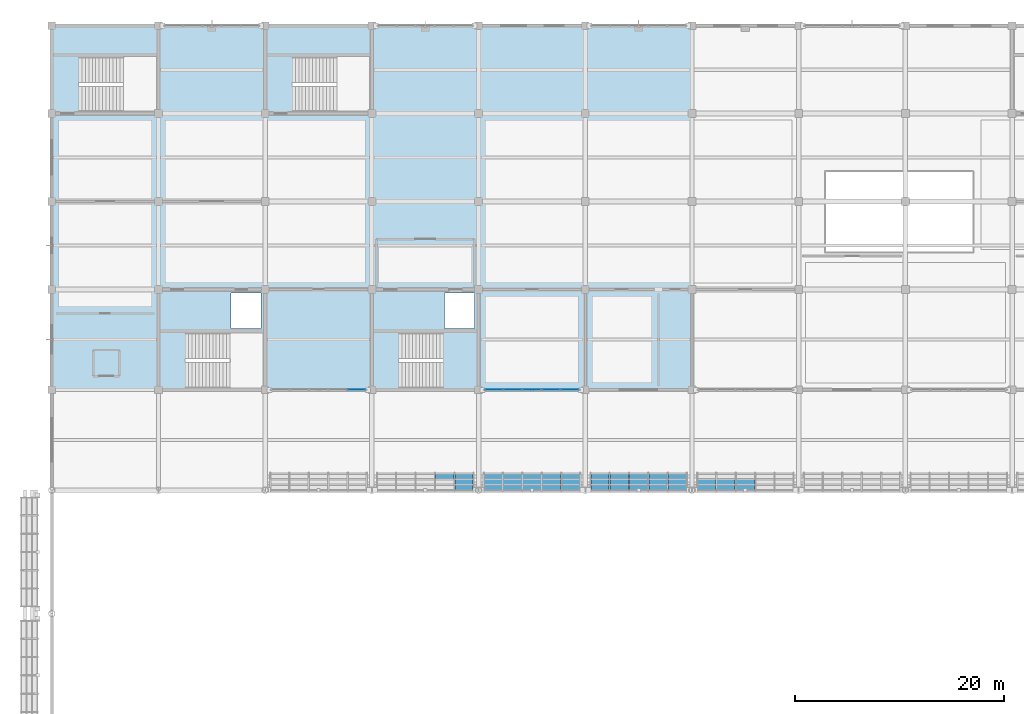
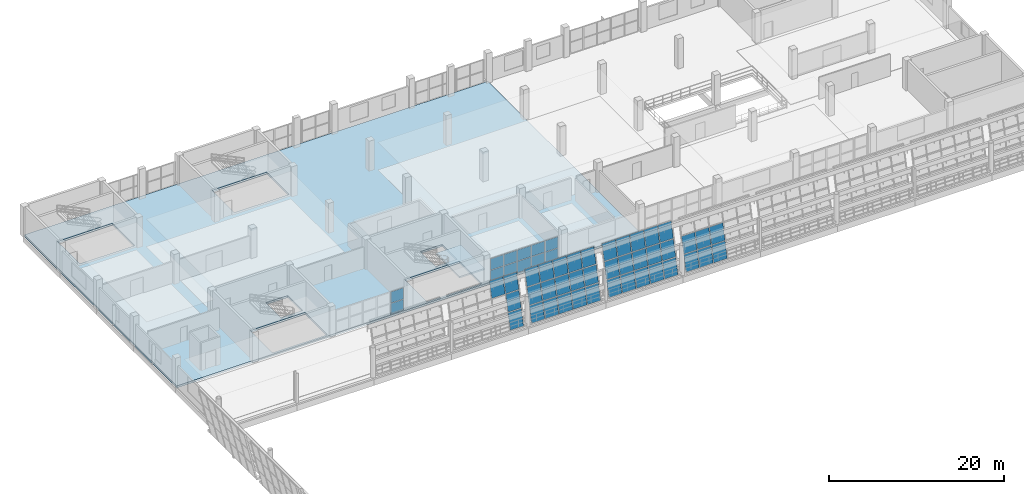
# One storey, part 107 of 157: 52 plates, 2 slabs, 7 elements without a shape of their own.
"""IFC4 building model written with IfcOpenShell, lengths in metres."""

from ifc_helpers import new_model, si_unit, direction, frame, origin, origin_2d, place, context, subcontext, project, spatial, polyline, rectangle, outline, extrude, material, layer, layer_set, type_object, element, aggregate, save


model = new_model("IFC4")

# Units and contexts
model_context = context("Model", 3, precision=1e-05, world=origin(), true_north=direction((0.0, 1.0)))
body_context = subcontext(model_context, "Body", "Model", "MODEL_VIEW")
ifc_project = project(units=[si_unit("LENGTHUNIT", "METRE"), si_unit("AREAUNIT", "SQUARE_METRE"), si_unit("VOLUMEUNIT", "CUBIC_METRE"), si_unit("PLANEANGLEUNIT", "RADIAN"), si_unit("MASSUNIT", "GRAM", prefix="KILO")], contexts=[model_context])

# Site, building, storey
site_placement = place(None, origin())
site = spatial("IfcSite", under=ifc_project, at=site_placement, CompositionType="ELEMENT")
building_placement = place(site_placement, origin())
building = spatial("IfcBuilding", under=site, at=building_placement, Name="Brelvane Convention Centre", CompositionType="ELEMENT")
storey_placement = place(building_placement, frame((0.0, 0.0, 10.800048828125)))
storey = spatial("IfcBuildingStorey", under=building, at=storey_placement, Name="L02", CompositionType="ELEMENT", Elevation=10.800048828125)

# Curtain wall, plates
ifc_material_1 = material(Name="Anodised Aluminium Alloy 6063-T6", Category="aluminium")
curtain_wall_type_1 = type_object("IfcCurtainWallType", Name="Curtain Wall CW-COURT", PredefinedType="USERDEFINED", material=ifc_material_1)
curtain_wall_1_placement = place(storey_placement, origin())
curtain_wall_1 = element("IfcCurtainWall", 1, at=curtain_wall_1_placement, inside=storey, type_object=curtain_wall_type_1, Name="Curtain Wall CW-COURT L02-V4S-03", ObjectType="UNITISED", PredefinedType="USERDEFINED")
ifc_material_2 = material(Name="Double Glazed Low-E Laminated Unit")
ifc_layer_1 = layer(ifc_material_2, 0.031982421875)
ifc_layer_set_1 = layer_set([ifc_layer_1], Name="Double Glazed Low-E Laminated Unit")
plate_type_1 = type_object("IfcPlateType", Name="Curtain Panel CW-PG1", PredefinedType="CURTAIN_PANEL", material=ifc_layer_set_1)
plate_1_placement = place(storey_placement, frame((29.121337890625, 109.199951171875, 0.070068359375), z_axis=(0.0, 0.0, 1.0), x_axis=(1.0, 0.0, 0.0)))
plate_1 = element("IfcPlate", 2, at=plate_1_placement, type_object=plate_type_1, Name="CW-COURT panel 5.1", PredefinedType="CURTAIN_PANEL", context=body_context, shape_type="SweptSolid", body=[
    extrude(rectangle(XDim=1.70751953125, YDim=0.031982421875, at=origin_2d()), origin(), (0.0, 0.0, 1.0), 1.544921875),
])
plate_2_placement = place(storey_placement, frame((29.121337890625, 109.199951171875, 1.68505859375), z_axis=(0.0, 0.0, 1.0), x_axis=(1.0, 0.0, 0.0)))
plate_2 = element("IfcPlate", 3, at=plate_2_placement, type_object=plate_type_1, Name="CW-COURT panel 5.2", PredefinedType="CURTAIN_PANEL", context=body_context, shape_type="SweptSolid", body=[
    extrude(rectangle(XDim=1.70751953125, YDim=0.031982421875, at=origin_2d()), origin(), (0.0, 0.0, 1.0), 1.544921875),
])
aggregate(curtain_wall_1, [plate_1, plate_2])

curtain_wall_2_placement = place(storey_placement, origin())
curtain_wall_2 = element("IfcCurtainWall", 4, at=curtain_wall_2_placement, inside=storey, type_object=curtain_wall_type_1, Name="Curtain Wall CW-COURT L02-V4S-05", ObjectType="UNITISED", PredefinedType="USERDEFINED")
plate_3_placement = place(storey_placement, frame((42.27880859375, 109.199951171875, 0.070068359375), z_axis=(0.0, 0.0, 1.0), x_axis=(1.0, 0.0, 0.0)))
plate_3 = element("IfcPlate", 5, at=plate_3_placement, type_object=plate_type_1, Name="CW-COURT panel 1.1", PredefinedType="CURTAIN_PANEL", context=body_context, shape_type="SweptSolid", body=[
    extrude(rectangle(XDim=1.70751953125, YDim=0.031982421875, at=origin_2d()), origin(), (0.0, 0.0, 1.0), 1.544921875),
])
plate_4_placement = place(storey_placement, frame((42.27880859375, 109.199951171875, 1.68505859375), z_axis=(0.0, 0.0, 1.0), x_axis=(1.0, 0.0, 0.0)))
plate_4 = element("IfcPlate", 6, at=plate_4_placement, type_object=plate_type_1, Name="CW-COURT panel 1.2", PredefinedType="CURTAIN_PANEL", context=body_context, shape_type="SweptSolid", body=[
    extrude(rectangle(XDim=1.70751953125, YDim=0.031982421875, at=origin_2d()), origin(), (0.0, 0.0, 1.0), 1.544921875),
])
plate_5_placement = place(storey_placement, frame((44.080078125, 109.199951171875, 0.070068359375), z_axis=(0.0, 0.0, 1.0), x_axis=(1.0, 0.0, 0.0)))
plate_5 = element("IfcPlate", 7, at=plate_5_placement, type_object=plate_type_1, Name="CW-COURT panel 2.1", PredefinedType="CURTAIN_PANEL", context=body_context, shape_type="SweptSolid", body=[
    extrude(rectangle(XDim=1.7451171875, YDim=0.031982421875, at=origin_2d()), origin(), (0.0, 0.0, 1.0), 1.544921875),
])
plate_6_placement = place(storey_placement, frame((44.080078125, 109.199951171875, 1.68505859375), z_axis=(0.0, 0.0, 1.0), x_axis=(1.0, 0.0, 0.0)))
plate_6 = element("IfcPlate", 8, at=plate_6_placement, type_object=plate_type_1, Name="CW-COURT panel 2.2", PredefinedType="CURTAIN_PANEL", context=body_context, shape_type="SweptSolid", body=[
    extrude(rectangle(XDim=1.7451171875, YDim=0.031982421875, at=origin_2d()), origin(), (0.0, 0.0, 1.0), 1.544921875),
])
plate_7_placement = place(storey_placement, frame((45.89990234375, 109.199951171875, 0.070068359375), z_axis=(0.0, 0.0, 1.0), x_axis=(1.0, 0.0, 0.0)))
plate_7 = element("IfcPlate", 9, at=plate_7_placement, type_object=plate_type_1, Name="CW-COURT panel 3.1", PredefinedType="CURTAIN_PANEL", context=body_context, shape_type="SweptSolid", body=[
    extrude(rectangle(XDim=1.7451171875, YDim=0.031982421875, at=origin_2d()), origin(), (0.0, 0.0, 1.0), 1.544921875),
])
plate_8_placement = place(storey_placement, frame((45.89990234375, 109.199951171875, 1.68505859375), z_axis=(0.0, 0.0, 1.0), x_axis=(1.0, 0.0, 0.0)))
plate_8 = element("IfcPlate", 10, at=plate_8_placement, type_object=plate_type_1, Name="CW-COURT panel 3.2", PredefinedType="CURTAIN_PANEL", context=body_context, shape_type="SweptSolid", body=[
    extrude(rectangle(XDim=1.7451171875, YDim=0.031982421875, at=origin_2d()), origin(), (0.0, 0.0, 1.0), 1.544921875),
])
plate_9_placement = place(storey_placement, frame((47.719970703125, 109.199951171875, 0.070068359375), z_axis=(0.0, 0.0, 1.0), x_axis=(1.0, 0.0, 0.0)))
plate_9 = element("IfcPlate", 11, at=plate_9_placement, type_object=plate_type_1, Name="CW-COURT panel 4.1", PredefinedType="CURTAIN_PANEL", context=body_context, shape_type="SweptSolid", body=[
    extrude(rectangle(XDim=1.7451171875, YDim=0.031982421875, at=origin_2d()), origin(), (0.0, 0.0, 1.0), 1.544921875),
])
plate_10_placement = place(storey_placement, frame((47.719970703125, 109.199951171875, 1.68505859375), z_axis=(0.0, 0.0, 1.0), x_axis=(1.0, 0.0, 0.0)))
plate_10 = element("IfcPlate", 12, at=plate_10_placement, type_object=plate_type_1, Name="CW-COURT panel 4.2", PredefinedType="CURTAIN_PANEL", context=body_context, shape_type="SweptSolid", body=[
    extrude(rectangle(XDim=1.7451171875, YDim=0.031982421875, at=origin_2d()), origin(), (0.0, 0.0, 1.0), 1.544921875),
])
plate_11_placement = place(storey_placement, frame((49.521240234375, 109.199951171875, 0.070068359375), z_axis=(0.0, 0.0, 1.0), x_axis=(1.0, 0.0, 0.0)))
plate_11 = element("IfcPlate", 13, at=plate_11_placement, type_object=plate_type_1, Name="CW-COURT panel 5.1", PredefinedType="CURTAIN_PANEL", context=body_context, shape_type="SweptSolid", body=[
    extrude(rectangle(XDim=1.70751953125, YDim=0.031982421875, at=origin_2d()), origin(), (0.0, 0.0, 1.0), 1.544921875),
])
plate_12_placement = place(storey_placement, frame((49.521240234375, 109.199951171875, 1.68505859375), z_axis=(0.0, 0.0, 1.0), x_axis=(1.0, 0.0, 0.0)))
plate_12 = element("IfcPlate", 14, at=plate_12_placement, type_object=plate_type_1, Name="CW-COURT panel 5.2", PredefinedType="CURTAIN_PANEL", context=body_context, shape_type="SweptSolid", body=[
    extrude(rectangle(XDim=1.70751953125, YDim=0.031982421875, at=origin_2d()), origin(), (0.0, 0.0, 1.0), 1.544921875),
])
aggregate(curtain_wall_2, [plate_3, plate_4, plate_5, plate_6, plate_7, plate_8, plate_9, plate_10, plate_11, plate_12])

ifc_material_3 = material(Name="Anodised Aluminium Alloy 6063-T6", Category="aluminium")
curtain_wall_type_2 = type_object("IfcCurtainWallType", Name="Curtain Wall CW-HULL-N", PredefinedType="USERDEFINED", material=ifc_material_3)
curtain_wall_3_placement = place(storey_placement, origin())
curtain_wall_3 = element("IfcCurtainWall", 15, at=curtain_wall_3_placement, inside=storey, type_object=curtain_wall_type_2, Name="Curtain Wall CW-HULL-N L02-V1N-HULL-04", ObjectType="UNITISED", PredefinedType="USERDEFINED")
ifc_material_4 = material(Name="Double Glazed Low-E Laminated Unit")
ifc_layer_2 = layer(ifc_material_4, 0.0380859375)
ifc_layer_set_2 = layer_set([ifc_layer_2], Name="Double Glazed Low-E Laminated Unit")
plate_type_2 = type_object("IfcPlateType", Name="Curtain Panel CW-PG2", PredefinedType="CURTAIN_PANEL", material=ifc_layer_set_2)
plate_13_placement = place(storey_placement, frame((36.669921875, 100.664794921875, 4.5400390625), z_axis=(0.0, -0.973558945432, 0.228435942377), x_axis=(1.0, 0.0, 0.0)))
plate_13 = element("IfcPlate", 16, at=plate_13_placement, type_object=plate_type_2, Name="CW-HULL-N panel 4.3", PredefinedType="CURTAIN_PANEL", context=body_context, shape_type="SweptSolid", body=[
    extrude(outline(polyline([(0.0, 0.0), (1.780029296875, 0.0), (1.780029296875, 2.18772866552563), (0.0, 2.18772866552563), (0.0, 0.0)])), origin(), (0.0, 0.0, -1.0), 0.0380859375),
])
plate_14_placement = place(storey_placement, frame((38.530029296875, 100.13720703125, 2.2900390625), z_axis=(0.0, -0.973595011737, 0.22828217872), x_axis=(1.0, 0.0, 0.0)))
plate_14 = element("IfcPlate", 17, at=plate_14_placement, type_object=plate_type_2, Name="CW-HULL-N panel 5.2", PredefinedType="CURTAIN_PANEL", context=body_context, shape_type="SweptSolid", body=[
    extrude(outline(polyline([(0.0, 0.0), (1.739990234375, 0.0), (1.739990234375, 2.2287725890550485), (0.0, 2.2287725890550485), (0.0, 0.0)])), origin(), (0.0, 0.0, -1.0), 0.0380859375),
])
plate_15_placement = place(storey_placement, frame((38.530029296875, 100.664794921875, 4.5400390625), z_axis=(0.0, -0.973558945432, 0.228435942377), x_axis=(1.0, 0.0, 0.0)))
plate_15 = element("IfcPlate", 18, at=plate_15_placement, type_object=plate_type_2, Name="CW-HULL-N panel 5.3", PredefinedType="CURTAIN_PANEL", context=body_context, shape_type="SweptSolid", body=[
    extrude(outline(polyline([(0.0, 0.0), (1.739990234375, 0.0), (1.739990234375, 2.18772866552563), (0.0, 2.18772866552563), (0.0, 0.0)])), origin(), (0.0, 0.0, -1.0), 0.0380859375),
])

curtain_wall_4_placement = place(storey_placement, origin())
curtain_wall_4 = element("IfcCurtainWall", 19, at=curtain_wall_4_placement, inside=storey, type_object=curtain_wall_type_2, Name="Curtain Wall CW-HULL-N L02-V1N-HULL-05", ObjectType="UNITISED", PredefinedType="USERDEFINED")
plate_16_placement = place(storey_placement, frame((41.330078125, 100.13720703125, 2.2900390625), z_axis=(0.0, -0.973595011737, 0.22828217872), x_axis=(1.0, 0.0, 0.0)))
plate_16 = element("IfcPlate", 20, at=plate_16_placement, type_object=plate_type_2, Name="CW-HULL-N panel 1.2", PredefinedType="CURTAIN_PANEL", context=body_context, shape_type="SweptSolid", body=[
    extrude(outline(polyline([(0.0, 0.0), (1.739990234375, 0.0), (1.739990234375, 2.2287725890550485), (0.0, 2.2287725890550485), (0.0, 0.0)])), origin(), (0.0, 0.0, -1.0), 0.0380859375),
])
plate_17_placement = place(storey_placement, frame((41.330078125, 100.664794921875, 4.5400390625), z_axis=(0.0, -0.973558945432, 0.228435942377), x_axis=(1.0, 0.0, 0.0)))
plate_17 = element("IfcPlate", 21, at=plate_17_placement, type_object=plate_type_2, Name="CW-HULL-N panel 1.3", PredefinedType="CURTAIN_PANEL", context=body_context, shape_type="SweptSolid", body=[
    extrude(outline(polyline([(0.0, 0.0), (1.739990234375, 0.0), (1.739990234375, 2.18772866552563), (0.0, 2.18772866552563), (0.0, 0.0)])), origin(), (0.0, 0.0, -1.0), 0.0380859375),
])
plate_18_placement = place(storey_placement, frame((43.14990234375, 100.13720703125, 2.2900390625), z_axis=(0.0, -0.973595011737, 0.22828217872), x_axis=(1.0, 0.0, 0.0)))
plate_18 = element("IfcPlate", 22, at=plate_18_placement, type_object=plate_type_2, Name="CW-HULL-N panel 2.2", PredefinedType="CURTAIN_PANEL", context=body_context, shape_type="SweptSolid", body=[
    extrude(outline(polyline([(0.0, 0.0), (1.780029296875, 0.0), (1.780029296875, 2.2287725890550485), (0.0, 2.2287725890550485), (0.0, 0.0)])), origin(), (0.0, 0.0, -1.0), 0.0380859375),
])
plate_19_placement = place(storey_placement, frame((43.14990234375, 100.664794921875, 4.5400390625), z_axis=(0.0, -0.973558945432, 0.228435942377), x_axis=(1.0, 0.0, 0.0)))
plate_19 = element("IfcPlate", 23, at=plate_19_placement, type_object=plate_type_2, Name="CW-HULL-N panel 2.3", PredefinedType="CURTAIN_PANEL", context=body_context, shape_type="SweptSolid", body=[
    extrude(outline(polyline([(0.0, 0.0), (1.780029296875, 0.0), (1.780029296875, 2.18772866552563), (0.0, 2.18772866552563), (0.0, 0.0)])), origin(), (0.0, 0.0, -1.0), 0.0380859375),
])
plate_20_placement = place(storey_placement, frame((45.010009765625, 100.13720703125, 2.2900390625), z_axis=(0.0, -0.973595011737, 0.22828217872), x_axis=(1.0, 0.0, 0.0)))
plate_20 = element("IfcPlate", 24, at=plate_20_placement, type_object=plate_type_2, Name="CW-HULL-N panel 3.2", PredefinedType="CURTAIN_PANEL", context=body_context, shape_type="SweptSolid", body=[
    extrude(outline(polyline([(0.0, 0.0), (1.780029296875, 0.0), (1.780029296875, 2.2287725890550485), (0.0, 2.2287725890550485), (0.0, 0.0)])), origin(), (0.0, 0.0, -1.0), 0.0380859375),
])
plate_21_placement = place(storey_placement, frame((45.010009765625, 100.664794921875, 4.5400390625), z_axis=(0.0, -0.973558945432, 0.228435942377), x_axis=(1.0, 0.0, 0.0)))
plate_21 = element("IfcPlate", 25, at=plate_21_placement, type_object=plate_type_2, Name="CW-HULL-N panel 3.3", PredefinedType="CURTAIN_PANEL", context=body_context, shape_type="SweptSolid", body=[
    extrude(outline(polyline([(0.0, 0.0), (1.780029296875, 0.0), (1.780029296875, 2.18772866552563), (0.0, 2.18772866552563), (0.0, 0.0)])), origin(), (0.0, 0.0, -1.0), 0.0380859375),
])
plate_22_placement = place(storey_placement, frame((46.8701171875, 100.13720703125, 2.2900390625), z_axis=(0.0, -0.973595011737, 0.22828217872), x_axis=(1.0, 0.0, 0.0)))
plate_22 = element("IfcPlate", 26, at=plate_22_placement, type_object=plate_type_2, Name="CW-HULL-N panel 4.2", PredefinedType="CURTAIN_PANEL", context=body_context, shape_type="SweptSolid", body=[
    extrude(outline(polyline([(0.0, 0.0), (1.77978515625, 0.0), (1.77978515625, 2.2287725890550485), (0.0, 2.2287725890550485), (0.0, 0.0)])), origin(), (0.0, 0.0, -1.0), 0.0380859375),
])
plate_23_placement = place(storey_placement, frame((46.8701171875, 100.664794921875, 4.5400390625), z_axis=(0.0, -0.973558945432, 0.228435942377), x_axis=(1.0, 0.0, 0.0)))
plate_23 = element("IfcPlate", 27, at=plate_23_placement, type_object=plate_type_2, Name="CW-HULL-N panel 4.3", PredefinedType="CURTAIN_PANEL", context=body_context, shape_type="SweptSolid", body=[
    extrude(outline(polyline([(0.0, 0.0), (1.77978515625, 0.0), (1.77978515625, 2.18772866552563), (0.0, 2.18772866552563), (0.0, 0.0)])), origin(), (0.0, 0.0, -1.0), 0.0380859375),
])
plate_24_placement = place(storey_placement, frame((48.72998046875, 100.13720703125, 2.2900390625), z_axis=(0.0, -0.973595011737, 0.22828217872), x_axis=(1.0, 0.0, 0.0)))
plate_24 = element("IfcPlate", 28, at=plate_24_placement, type_object=plate_type_2, Name="CW-HULL-N panel 5.2", PredefinedType="CURTAIN_PANEL", context=body_context, shape_type="SweptSolid", body=[
    extrude(outline(polyline([(0.0, 0.0), (1.739990234375, 0.0), (1.739990234375, 2.2287725890550485), (0.0, 2.2287725890550485), (0.0, 0.0)])), origin(), (0.0, 0.0, -1.0), 0.0380859375),
])
plate_25_placement = place(storey_placement, frame((48.72998046875, 100.664794921875, 4.5400390625), z_axis=(0.0, -0.973558945432, 0.228435942377), x_axis=(1.0, 0.0, 0.0)))
plate_25 = element("IfcPlate", 29, at=plate_25_placement, type_object=plate_type_2, Name="CW-HULL-N panel 5.3", PredefinedType="CURTAIN_PANEL", context=body_context, shape_type="SweptSolid", body=[
    extrude(outline(polyline([(0.0, 0.0), (1.739990234375, 0.0), (1.739990234375, 2.18772866552563), (0.0, 2.18772866552563), (0.0, 0.0)])), origin(), (0.0, 0.0, -1.0), 0.0380859375),
])

curtain_wall_5_placement = place(storey_placement, origin())
curtain_wall_5 = element("IfcCurtainWall", 30, at=curtain_wall_5_placement, inside=storey, type_object=curtain_wall_type_2, Name="Curtain Wall CW-HULL-N L02-V1N-HULL-06", ObjectType="UNITISED", PredefinedType="USERDEFINED")
plate_26_placement = place(storey_placement, frame((51.530029296875, 100.13720703125, 2.2900390625), z_axis=(0.0, -0.973595011737, 0.22828217872), x_axis=(1.0, 0.0, 0.0)))
plate_26 = element("IfcPlate", 31, at=plate_26_placement, type_object=plate_type_2, Name="CW-HULL-N panel 1.2", PredefinedType="CURTAIN_PANEL", context=body_context, shape_type="SweptSolid", body=[
    extrude(outline(polyline([(0.0, 0.0), (1.739990234375, 0.0), (1.739990234375, 2.2287725890550485), (0.0, 2.2287725890550485), (0.0, 0.0)])), origin(), (0.0, 0.0, -1.0), 0.0380859375),
])
plate_27_placement = place(storey_placement, frame((51.530029296875, 100.664794921875, 4.5400390625), z_axis=(0.0, -0.973558945432, 0.228435942377), x_axis=(1.0, 0.0, 0.0)))
plate_27 = element("IfcPlate", 32, at=plate_27_placement, type_object=plate_type_2, Name="CW-HULL-N panel 1.3", PredefinedType="CURTAIN_PANEL", context=body_context, shape_type="SweptSolid", body=[
    extrude(outline(polyline([(0.0, 0.0), (1.739990234375, 0.0), (1.739990234375, 2.18772866552563), (0.0, 2.18772866552563), (0.0, 0.0)])), origin(), (0.0, 0.0, -1.0), 0.0380859375),
])
plate_28_placement = place(storey_placement, frame((53.35009765625, 100.13720703125, 2.2900390625), z_axis=(0.0, -0.973595011737, 0.22828217872), x_axis=(1.0, 0.0, 0.0)))
plate_28 = element("IfcPlate", 33, at=plate_28_placement, type_object=plate_type_2, Name="CW-HULL-N panel 2.2", PredefinedType="CURTAIN_PANEL", context=body_context, shape_type="SweptSolid", body=[
    extrude(outline(polyline([(0.0, 0.0), (1.77978515625, 0.0), (1.77978515625, 2.2287725890550485), (0.0, 2.2287725890550485), (0.0, 0.0)])), origin(), (0.0, 0.0, -1.0), 0.0380859375),
])
plate_29_placement = place(storey_placement, frame((53.35009765625, 100.664794921875, 4.5400390625), z_axis=(0.0, -0.973558945432, 0.228435942377), x_axis=(1.0, 0.0, 0.0)))
plate_29 = element("IfcPlate", 34, at=plate_29_placement, type_object=plate_type_2, Name="CW-HULL-N panel 2.3", PredefinedType="CURTAIN_PANEL", context=body_context, shape_type="SweptSolid", body=[
    extrude(outline(polyline([(0.0, 0.0), (1.77978515625, 0.0), (1.77978515625, 2.18772866552563), (0.0, 2.18772866552563), (0.0, 0.0)])), origin(), (0.0, 0.0, -1.0), 0.0380859375),
])
plate_30_placement = place(storey_placement, frame((55.2099609375, 100.13720703125, 2.2900390625), z_axis=(0.0, -0.973595011737, 0.22828217872), x_axis=(1.0, 0.0, 0.0)))
plate_30 = element("IfcPlate", 35, at=plate_30_placement, type_object=plate_type_2, Name="CW-HULL-N panel 3.2", PredefinedType="CURTAIN_PANEL", context=body_context, shape_type="SweptSolid", body=[
    extrude(outline(polyline([(0.0, 0.0), (1.780029296875, 0.0), (1.780029296875, 2.2287725890550485), (0.0, 2.2287725890550485), (0.0, 0.0)])), origin(), (0.0, 0.0, -1.0), 0.0380859375),
])
plate_31_placement = place(storey_placement, frame((55.2099609375, 100.664794921875, 4.5400390625), z_axis=(0.0, -0.973558945432, 0.228435942377), x_axis=(1.0, 0.0, 0.0)))
plate_31 = element("IfcPlate", 36, at=plate_31_placement, type_object=plate_type_2, Name="CW-HULL-N panel 3.3", PredefinedType="CURTAIN_PANEL", context=body_context, shape_type="SweptSolid", body=[
    extrude(outline(polyline([(0.0, 0.0), (1.780029296875, 0.0), (1.780029296875, 2.18772866552563), (0.0, 2.18772866552563), (0.0, 0.0)])), origin(), (0.0, 0.0, -1.0), 0.0380859375),
])
plate_32_placement = place(storey_placement, frame((57.070068359375, 100.13720703125, 2.2900390625), z_axis=(0.0, -0.973595011737, 0.22828217872), x_axis=(1.0, 0.0, 0.0)))
plate_32 = element("IfcPlate", 37, at=plate_32_placement, type_object=plate_type_2, Name="CW-HULL-N panel 4.2", PredefinedType="CURTAIN_PANEL", context=body_context, shape_type="SweptSolid", body=[
    extrude(outline(polyline([(0.0, 0.0), (1.780029296875, 0.0), (1.780029296875, 2.2287725890550485), (0.0, 2.2287725890550485), (0.0, 0.0)])), origin(), (0.0, 0.0, -1.0), 0.0380859375),
])
plate_33_placement = place(storey_placement, frame((57.070068359375, 100.664794921875, 4.5400390625), z_axis=(0.0, -0.973558945432, 0.228435942377), x_axis=(1.0, 0.0, 0.0)))
plate_33 = element("IfcPlate", 38, at=plate_33_placement, type_object=plate_type_2, Name="CW-HULL-N panel 4.3", PredefinedType="CURTAIN_PANEL", context=body_context, shape_type="SweptSolid", body=[
    extrude(outline(polyline([(0.0, 0.0), (1.780029296875, 0.0), (1.780029296875, 2.18772866552563), (0.0, 2.18772866552563), (0.0, 0.0)])), origin(), (0.0, 0.0, -1.0), 0.0380859375),
])
plate_34_placement = place(storey_placement, frame((58.929931640625, 100.13720703125, 2.2900390625), z_axis=(0.0, -0.973595011737, 0.22828217872), x_axis=(1.0, 0.0, 0.0)))
plate_34 = element("IfcPlate", 39, at=plate_34_placement, type_object=plate_type_2, Name="CW-HULL-N panel 5.2", PredefinedType="CURTAIN_PANEL", context=body_context, shape_type="SweptSolid", body=[
    extrude(outline(polyline([(0.0, 0.0), (1.739990234375, 0.0), (1.739990234375, 2.2287725890550485), (0.0, 2.2287725890550485), (0.0, 0.0)])), origin(), (0.0, 0.0, -1.0), 0.0380859375),
])
plate_35_placement = place(storey_placement, frame((58.929931640625, 100.664794921875, 4.5400390625), z_axis=(0.0, -0.973558945432, 0.228435942377), x_axis=(1.0, 0.0, 0.0)))
plate_35 = element("IfcPlate", 40, at=plate_35_placement, type_object=plate_type_2, Name="CW-HULL-N panel 5.3", PredefinedType="CURTAIN_PANEL", context=body_context, shape_type="SweptSolid", body=[
    extrude(outline(polyline([(0.0, 0.0), (1.739990234375, 0.0), (1.739990234375, 2.18772866552563), (0.0, 2.18772866552563), (0.0, 0.0)])), origin(), (0.0, 0.0, -1.0), 0.0380859375),
])

curtain_wall_6_placement = place(storey_placement, origin())
curtain_wall_6 = element("IfcCurtainWall", 41, at=curtain_wall_6_placement, inside=storey, type_object=curtain_wall_type_2, Name="Curtain Wall CW-HULL-N L02-V1N-HULL-07", ObjectType="UNITISED", PredefinedType="USERDEFINED")
plate_36_placement = place(storey_placement, frame((61.72998046875, 100.13720703125, 2.2900390625), z_axis=(0.0, -0.973595011737, 0.22828217872), x_axis=(1.0, 0.0, 0.0)))
plate_36 = element("IfcPlate", 42, at=plate_36_placement, type_object=plate_type_2, Name="CW-HULL-N panel 1.2", PredefinedType="CURTAIN_PANEL", context=body_context, shape_type="SweptSolid", body=[
    extrude(outline(polyline([(0.0, 0.0), (1.739990234375, 0.0), (1.739990234375, 2.2287725890550485), (0.0, 2.2287725890550485), (0.0, 0.0)])), origin(), (0.0, 0.0, -1.0), 0.0380859375),
])
plate_37_placement = place(storey_placement, frame((63.550048828125, 100.13720703125, 2.2900390625), z_axis=(0.0, -0.973595011737, 0.22828217872), x_axis=(1.0, 0.0, 0.0)))
plate_37 = element("IfcPlate", 43, at=plate_37_placement, type_object=plate_type_2, Name="CW-HULL-N panel 2.2", PredefinedType="CURTAIN_PANEL", context=body_context, shape_type="SweptSolid", body=[
    extrude(outline(polyline([(0.0, 0.0), (1.780029296875, 0.0), (1.780029296875, 2.2287725890550485), (0.0, 2.2287725890550485), (0.0, 0.0)])), origin(), (0.0, 0.0, -1.0), 0.0380859375),
])
plate_38_placement = place(storey_placement, frame((65.409912109375, 100.13720703125, 2.2900390625), z_axis=(0.0, -0.973595011737, 0.22828217872), x_axis=(1.0, 0.0, 0.0)))
plate_38 = element("IfcPlate", 44, at=plate_38_placement, type_object=plate_type_2, Name="CW-HULL-N panel 3.2", PredefinedType="CURTAIN_PANEL", context=body_context, shape_type="SweptSolid", body=[
    extrude(outline(polyline([(0.0, 0.0), (1.780029296875, 0.0), (1.780029296875, 2.2287725890550485), (0.0, 2.2287725890550485), (0.0, 0.0)])), origin(), (0.0, 0.0, -1.0), 0.0380859375),
])

# Plate
ifc_material_5 = material(Name="Patinated Copper-Bronze Alloy C22000")
ifc_layer_3 = layer(ifc_material_5, 0.048095703125)
ifc_layer_set_3 = layer_set([ifc_layer_3], Name="Patinated Copper-Bronze Alloy C22000")
plate_type_3 = type_object("IfcPlateType", Name="Curtain Panel CW-PS1", PredefinedType="CURTAIN_PANEL", material=ifc_layer_set_3)
plate_39_placement = place(storey_placement, frame((38.530029296875, 99.61865234375, 0.079833984375), z_axis=(0.0, -0.973564767867, 0.228411126627), x_axis=(1.0, 0.0, 0.0)))
plate_39 = element("IfcPlate", 45, at=plate_39_placement, type_object=plate_type_3, Name="CW-HULL-N panel 5.1", PredefinedType="CURTAIN_PANEL", context=body_context, shape_type="SweptSolid", body=[
    extrude(outline(polyline([(0.0, 0.0), (1.739990234375, 0.0), (1.739990234375, 2.1879663515258274), (0.0, 2.1879663515258274), (0.0, 0.0)])), origin(), (0.0, 0.0, -1.0), 0.0380859375),
])

aggregate(curtain_wall_3, [plate_13, plate_39, plate_14, plate_15])

plate_40_placement = place(storey_placement, frame((41.330078125, 99.61865234375, 0.079833984375), z_axis=(0.0, -0.973564767867, 0.228411126627), x_axis=(1.0, 0.0, 0.0)))
plate_40 = element("IfcPlate", 46, at=plate_40_placement, type_object=plate_type_3, Name="CW-HULL-N panel 1.1", PredefinedType="CURTAIN_PANEL", context=body_context, shape_type="SweptSolid", body=[
    extrude(outline(polyline([(0.0, 0.0), (1.739990234375, 0.0), (1.739990234375, 2.1879663515258274), (0.0, 2.1879663515258274), (0.0, 0.0)])), origin(), (0.0, 0.0, -1.0), 0.0380859375),
])

plate_41_placement = place(storey_placement, frame((43.14990234375, 99.61865234375, 0.079833984375), z_axis=(0.0, -0.973564767867, 0.228411126627), x_axis=(1.0, 0.0, 0.0)))
plate_41 = element("IfcPlate", 47, at=plate_41_placement, type_object=plate_type_3, Name="CW-HULL-N panel 2.1", PredefinedType="CURTAIN_PANEL", context=body_context, shape_type="SweptSolid", body=[
    extrude(outline(polyline([(0.0, 0.0), (1.780029296875, 0.0), (1.780029296875, 2.1879663515258274), (0.0, 2.1879663515258274), (0.0, 0.0)])), origin(), (0.0, 0.0, -1.0), 0.0380859375),
])

plate_42_placement = place(storey_placement, frame((45.010009765625, 99.61865234375, 0.079833984375), z_axis=(0.0, -0.973564767867, 0.228411126627), x_axis=(1.0, 0.0, 0.0)))
plate_42 = element("IfcPlate", 48, at=plate_42_placement, type_object=plate_type_3, Name="CW-HULL-N panel 3.1", PredefinedType="CURTAIN_PANEL", context=body_context, shape_type="SweptSolid", body=[
    extrude(outline(polyline([(0.0, 0.0), (1.780029296875, 0.0), (1.780029296875, 2.1879663515258274), (0.0, 2.1879663515258274), (0.0, 0.0)])), origin(), (0.0, 0.0, -1.0), 0.0380859375),
])

plate_43_placement = place(storey_placement, frame((46.8701171875, 99.61865234375, 0.079833984375), z_axis=(0.0, -0.973564767867, 0.228411126627), x_axis=(1.0, 0.0, 0.0)))
plate_43 = element("IfcPlate", 49, at=plate_43_placement, type_object=plate_type_3, Name="CW-HULL-N panel 4.1", PredefinedType="CURTAIN_PANEL", context=body_context, shape_type="SweptSolid", body=[
    extrude(outline(polyline([(0.0, 0.0), (1.77978515625, 0.0), (1.77978515625, 2.187966351525827), (0.0, 2.187966351525827), (0.0, 0.0)])), origin(), (0.0, 0.0, -1.0), 0.0380859375),
])

plate_44_placement = place(storey_placement, frame((48.72998046875, 99.61865234375, 0.079833984375), z_axis=(0.0, -0.973564767867, 0.228411126627), x_axis=(1.0, 0.0, 0.0)))
plate_44 = element("IfcPlate", 50, at=plate_44_placement, type_object=plate_type_3, Name="CW-HULL-N panel 5.1", PredefinedType="CURTAIN_PANEL", context=body_context, shape_type="SweptSolid", body=[
    extrude(outline(polyline([(0.0, 0.0), (1.739990234375, 0.0), (1.739990234375, 2.1879663515258274), (0.0, 2.1879663515258274), (0.0, 0.0)])), origin(), (0.0, 0.0, -1.0), 0.0380859375),
])

aggregate(curtain_wall_4, [plate_40, plate_16, plate_17, plate_41, plate_18, plate_19, plate_42, plate_20, plate_21, plate_43, plate_22, plate_23, plate_44, plate_24, plate_25])

plate_45_placement = place(storey_placement, frame((51.530029296875, 99.61865234375, 0.079833984375), z_axis=(0.0, -0.973564767867, 0.228411126627), x_axis=(1.0, 0.0, 0.0)))
plate_45 = element("IfcPlate", 51, at=plate_45_placement, type_object=plate_type_3, Name="CW-HULL-N panel 1.1", PredefinedType="CURTAIN_PANEL", context=body_context, shape_type="SweptSolid", body=[
    extrude(outline(polyline([(0.0, 0.0), (1.739990234375, 0.0), (1.739990234375, 2.1879663515258274), (0.0, 2.1879663515258274), (0.0, 0.0)])), origin(), (0.0, 0.0, -1.0), 0.0380859375),
])

plate_46_placement = place(storey_placement, frame((53.35009765625, 99.61865234375, 0.079833984375), z_axis=(0.0, -0.973564767867, 0.228411126627), x_axis=(1.0, 0.0, 0.0)))
plate_46 = element("IfcPlate", 52, at=plate_46_placement, type_object=plate_type_3, Name="CW-HULL-N panel 2.1", PredefinedType="CURTAIN_PANEL", context=body_context, shape_type="SweptSolid", body=[
    extrude(outline(polyline([(0.0, 0.0), (1.77978515625, 0.0), (1.77978515625, 2.187966351525827), (0.0, 2.187966351525827), (0.0, 0.0)])), origin(), (0.0, 0.0, -1.0), 0.0380859375),
])

plate_47_placement = place(storey_placement, frame((55.2099609375, 99.61865234375, 0.079833984375), z_axis=(0.0, -0.973564767867, 0.228411126627), x_axis=(1.0, 0.0, 0.0)))
plate_47 = element("IfcPlate", 53, at=plate_47_placement, type_object=plate_type_3, Name="CW-HULL-N panel 3.1", PredefinedType="CURTAIN_PANEL", context=body_context, shape_type="SweptSolid", body=[
    extrude(outline(polyline([(0.0, 0.0), (1.780029296875, 0.0), (1.780029296875, 2.1879663515258274), (0.0, 2.1879663515258274), (0.0, 0.0)])), origin(), (0.0, 0.0, -1.0), 0.0380859375),
])

plate_48_placement = place(storey_placement, frame((57.070068359375, 99.61865234375, 0.079833984375), z_axis=(0.0, -0.973564767867, 0.228411126627), x_axis=(1.0, 0.0, 0.0)))
plate_48 = element("IfcPlate", 54, at=plate_48_placement, type_object=plate_type_3, Name="CW-HULL-N panel 4.1", PredefinedType="CURTAIN_PANEL", context=body_context, shape_type="SweptSolid", body=[
    extrude(outline(polyline([(0.0, 0.0), (1.780029296875, 0.0), (1.780029296875, 2.1879663515258274), (0.0, 2.1879663515258274), (0.0, 0.0)])), origin(), (0.0, 0.0, -1.0), 0.0380859375),
])

plate_49_placement = place(storey_placement, frame((58.929931640625, 99.61865234375, 0.079833984375), z_axis=(0.0, -0.973564767867, 0.228411126627), x_axis=(1.0, 0.0, 0.0)))
plate_49 = element("IfcPlate", 55, at=plate_49_placement, type_object=plate_type_3, Name="CW-HULL-N panel 5.1", PredefinedType="CURTAIN_PANEL", context=body_context, shape_type="SweptSolid", body=[
    extrude(outline(polyline([(0.0, 0.0), (1.739990234375, 0.0), (1.739990234375, 2.1879663515258274), (0.0, 2.1879663515258274), (0.0, 0.0)])), origin(), (0.0, 0.0, -1.0), 0.0380859375),
])

aggregate(curtain_wall_5, [plate_45, plate_26, plate_27, plate_46, plate_28, plate_29, plate_47, plate_30, plate_31, plate_48, plate_32, plate_33, plate_49, plate_34, plate_35])

plate_50_placement = place(storey_placement, frame((61.72998046875, 99.61865234375, 0.079833984375), z_axis=(0.0, -0.973564767867, 0.228411126627), x_axis=(1.0, 0.0, 0.0)))
plate_50 = element("IfcPlate", 56, at=plate_50_placement, type_object=plate_type_3, Name="CW-HULL-N panel 1.1", PredefinedType="CURTAIN_PANEL", context=body_context, shape_type="SweptSolid", body=[
    extrude(outline(polyline([(0.0, 0.0), (1.739990234375, 0.0), (1.739990234375, 2.1879663515258274), (0.0, 2.1879663515258274), (0.0, 0.0)])), origin(), (0.0, 0.0, -1.0), 0.0380859375),
])

plate_51_placement = place(storey_placement, frame((63.550048828125, 99.61865234375, 0.079833984375), z_axis=(0.0, -0.973564767867, 0.228411126627), x_axis=(1.0, 0.0, 0.0)))
plate_51 = element("IfcPlate", 57, at=plate_51_placement, type_object=plate_type_3, Name="CW-HULL-N panel 2.1", PredefinedType="CURTAIN_PANEL", context=body_context, shape_type="SweptSolid", body=[
    extrude(outline(polyline([(0.0, 0.0), (1.780029296875, 0.0), (1.780029296875, 2.1879663515258274), (0.0, 2.1879663515258274), (0.0, 0.0)])), origin(), (0.0, 0.0, -1.0), 0.0380859375),
])

plate_52_placement = place(storey_placement, frame((65.409912109375, 99.61865234375, 0.079833984375), z_axis=(0.0, -0.973564767867, 0.228411126627), x_axis=(1.0, 0.0, 0.0)))
plate_52 = element("IfcPlate", 58, at=plate_52_placement, type_object=plate_type_3, Name="CW-HULL-N panel 3.1", PredefinedType="CURTAIN_PANEL", context=body_context, shape_type="SweptSolid", body=[
    extrude(outline(polyline([(0.0, 0.0), (1.780029296875, 0.0), (1.780029296875, 2.1879663515258274), (0.0, 2.1879663515258274), (0.0, 0.0)])), origin(), (0.0, 0.0, -1.0), 0.0380859375),
])

aggregate(curtain_wall_6, [plate_50, plate_36, plate_51, plate_37, plate_52, plate_38])

# Stair, slab
ifc_material_6 = material(Name="Concrete M40", Category="concrete")
stair_type = type_object("IfcStairType", Name="Exit Stair ST-CORE", PredefinedType="HALF_TURN_STAIR", material=ifc_material_6)
stair_placement = place(storey_placement, origin())
stair = element("IfcStair", 59, at=stair_placement, inside=storey, type_object=stair_type, Name="Exit Stair ST-07 (L02 to L03)", PredefinedType="HALF_TURN_STAIR")
ifc_material_7 = material(Name="Concrete M40", Category="concrete")
ifc_layer_4 = layer(ifc_material_7, 0.199951171875)
ifc_layer_set_4 = layer_set([ifc_layer_4], Name="Concrete M40")
slab_type_1 = type_object("IfcSlabType", Name="Stair Landing SL-LND-200", PredefinedType="LANDING", material=ifc_layer_set_4)
slab_1_placement = place(storey_placement, frame((0.0, 0.0, 1.89990234375)))
slab_1 = element("IfcSlab", 60, at=slab_1_placement, type_object=slab_type_1, Name="Stair ST-07 L02 Half Landing", PredefinedType="LANDING", context=body_context, shape_type="SweptSolid", body=[
    extrude(outline(polyline([(37.409912109375, 109.280029296875), (40.719970703125, 109.280029296875), (40.719970703125, 114.719970703125), (37.409912109375, 114.719970703125), (37.409912109375, 109.280029296875)])), origin(), (0.0, 0.0, 1.0), 0.199951171875),
])
aggregate(stair, [slab_1])

# Slab
ifc_material_8 = material(Name="Concrete M40", Category="concrete")
ifc_layer_5 = layer(ifc_material_8, 0.280029296875)
ifc_layer_set_5 = layer_set([ifc_layer_5], Name="Concrete M40")
slab_type_2 = type_object("IfcSlabType", Name="Structural Slab SL-FLR-280", PredefinedType="FLOOR", material=ifc_layer_set_5)
slab_2_placement = place(storey_placement, frame((0.0, 0.0, -0.280029296875)))
element("IfcSlab", 61, at=slab_2_placement, inside=storey, type_object=slab_type_2, Name="L02 Floor Slab MEET-W", PredefinedType="FLOOR", context=body_context, shape_type="SweptSolid", body=[
    extrude(outline(polyline([(0.0, 109.199951171875), (61.199951171875, 109.199951171875), (61.199951171875, 144.0), (0.0, 144.0), (0.0, 109.199951171875)]), holes=[polyline([(12.800048828125, 109.449951171875), (20.050048828125, 109.449951171875), (20.050048828125, 114.550048828125), (12.800048828125, 114.550048828125), (12.800048828125, 109.449951171875)]), polyline([(17.14990234375, 115.050048828125), (20.0, 115.050048828125), (20.0, 118.449951171875), (17.14990234375, 118.449951171875), (17.14990234375, 115.050048828125)]), polyline([(33.199951171875, 109.449951171875), (40.449951171875, 109.449951171875), (40.449951171875, 114.550048828125), (33.199951171875, 114.550048828125), (33.199951171875, 109.449951171875)]), polyline([(37.550048828125, 115.050048828125), (40.39990234375, 115.050048828125), (40.39990234375, 118.449951171875), (37.550048828125, 118.449951171875), (37.550048828125, 115.050048828125)]), polyline([(23.0, 135.85009765625), (30.25, 135.85009765625), (30.25, 140.949951171875), (23.0, 140.949951171875), (23.0, 135.85009765625)]), polyline([(2.60009765625, 135.85009765625), (9.85009765625, 135.85009765625), (9.85009765625, 140.949951171875), (2.60009765625, 140.949951171875), (2.60009765625, 135.85009765625)])]), origin(), (0.0, 0.0, 1.0), 0.280029296875),
])

save(model, "model.ifc")
